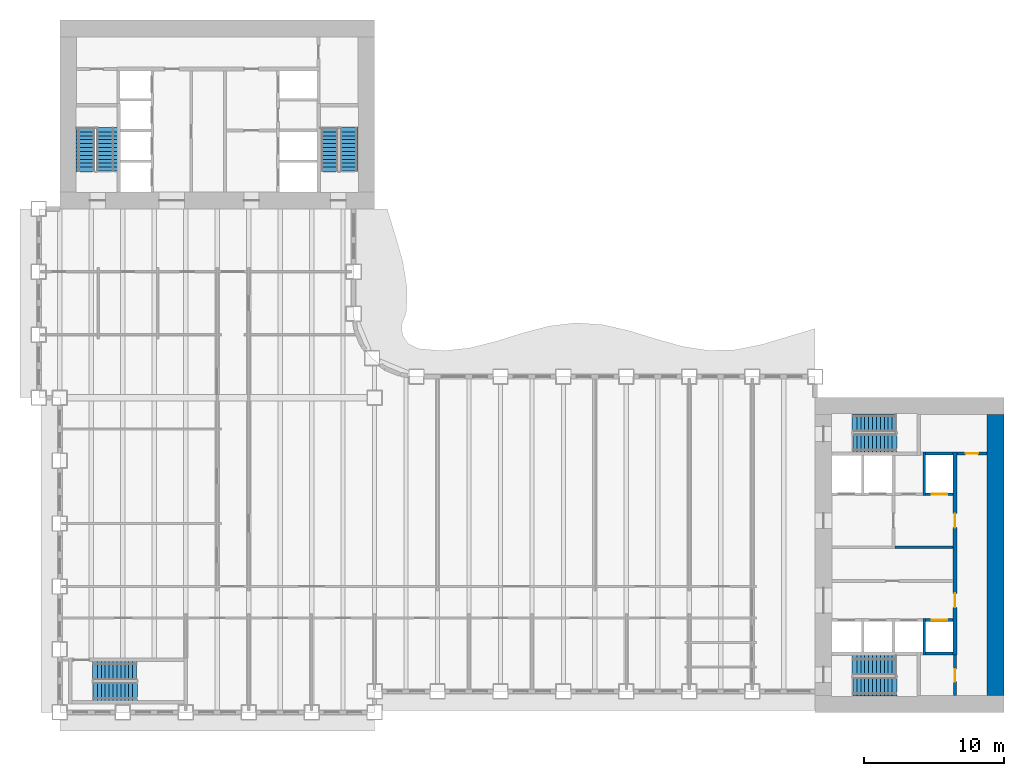
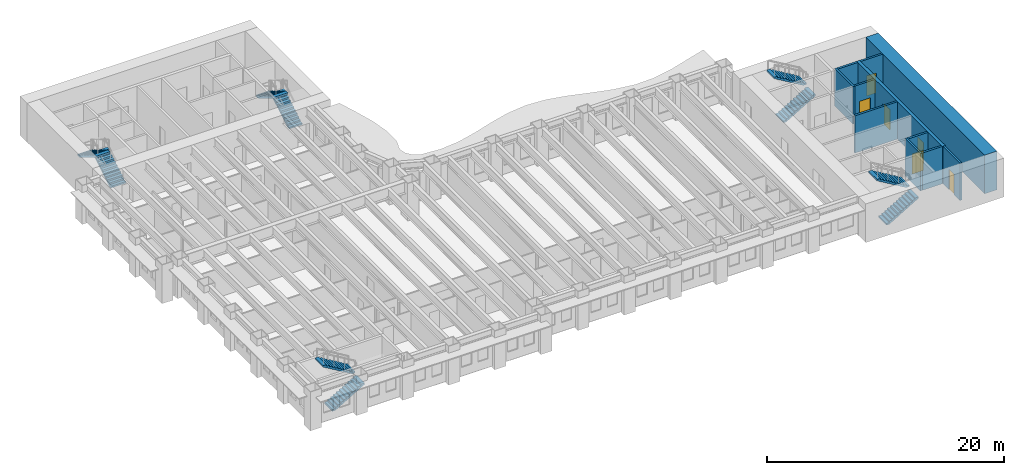
# One storey, part 10 of 16: 11 walls, 10 stair flights, 6 doors, 6 openings, 5 elements without a shape of their own.
"""IFC4 building model written with IfcOpenShell, lengths in metres."""

from ifc_helpers import new_model, si_unit, direction, frame, frame_2d, origin, place, context, subcontext, project, spatial, polyline, rectangle, outline, extrude, material, layer, layer_set, type_object, element, fill, aggregate, save


model = new_model("IFC4")

# Units and contexts
model_context = context("Model", 3, precision=1e-05, world=origin(), true_north=direction((0.0, 1.0)))
body_context = subcontext(model_context, "Body", "Model", "MODEL_VIEW")
ifc_project = project(units=[si_unit("LENGTHUNIT", "METRE"), si_unit("AREAUNIT", "SQUARE_METRE"), si_unit("VOLUMEUNIT", "CUBIC_METRE"), si_unit("PLANEANGLEUNIT", "RADIAN"), si_unit("MASSUNIT", "GRAM", prefix="KILO")], contexts=[model_context])

# Site, building, storey
site_placement = place(None, origin())
site = spatial("IfcSite", under=ifc_project, at=site_placement, CompositionType="ELEMENT")
building_placement = place(site_placement, origin())
building = spatial("IfcBuilding", under=site, at=building_placement, Name="Sennacour Bend Tower", CompositionType="ELEMENT")
storey_placement = place(building_placement, frame((0.0, 0.0, 57.0)))
storey = spatial("IfcBuildingStorey", under=building, at=storey_placement, Name="L12", CompositionType="ELEMENT", Elevation=57.0)

# Wall
ifc_material_1 = material(Name="Concrete C80/95", Category="concrete")
ifc_layer_1 = layer(ifc_material_1, 1.199951171875, Name="Concrete C80/95", Category="concrete")
ifc_layer_set_1 = layer_set([ifc_layer_1], Name="Concrete C80/95")
wall_type_1 = type_object("IfcWallType", Name="Core wall 1200 C80/95", PredefinedType="SHEAR", material=ifc_layer_set_1)
wall_1_placement = place(storey_placement, frame((66.89990234375, 1.199951171875, -0.14990234375), z_axis=(0.0, 0.0, 1.0), x_axis=(0.0, 1.0, 0.0)))
element("IfcWall", 1, at=wall_1_placement, inside=storey, type_object=wall_type_1, Name="Core A wall L12 E", PredefinedType="SHEAR", context=body_context, shape_type="SweptSolid", body=[
    extrude(rectangle(XDim=20.10009765625, YDim=1.199951171875, at=frame_2d((10.050048828125, 0.0))), origin(), (0.0, 0.0, 1.0), 4.0),
])

# Wall, opening, door
ifc_material_2 = material(Name="Fire-rated plasterboard partition on steel studs", Category="steel")
ifc_layer_2 = layer(ifc_material_2, 0.199951171875, Name="Fire-rated plasterboard partition on steel studs", Category="steel")
ifc_layer_set_2 = layer_set([ifc_layer_2], Name="Fire-rated plasterboard partition on steel studs")
wall_type_2 = type_object("IfcWallType", Name="Rated partition 200", PredefinedType="PARTITIONING", material=ifc_layer_set_2)
wall_2_placement = place(storey_placement, frame((64.0, 1.199951171875, 0.0), z_axis=(0.0, 0.0, 1.0), x_axis=(0.0, 1.0, 0.0)))
wall_2 = element("IfcWall", 2, at=wall_2_placement, inside=storey, type_object=wall_type_2, Name="P-L12-W045", PredefinedType="PARTITIONING", context=body_context, shape_type="SweptSolid", body=[
    extrude(rectangle(XDim=2.900146484375, YDim=0.199951171875, at=frame_2d((1.4501953125, 0.0))), origin(), (0.0, 0.0, 1.0), 3.85009765625),
])
opening_1_placement = place(wall_2_placement, frame((1.0, 0.0, 0.0)))
opening_1 = element("IfcOpeningElement", 3, at=opening_1_placement, cuts=wall_2, Name="Opening SV", PredefinedType="OPENING", context=body_context, shape_type="SweptSolid", body=[
    extrude(rectangle(XDim=0.89990234375, YDim=2.10009765625, at=frame_2d((0.449951171875, 1.050048828125))), frame((0.0, 0.10986328125, 0.0), z_axis=(0.0, -1.0, 0.0), x_axis=(1.0, 0.0, 0.0)), (0.0, 0.0, 1.0), 0.219970703125),
])
ifc_material_3 = material(Name="Painted steel", Category="steel")
door_type_1 = type_object("IfcDoorType", Name="DR-SERVICE-900", OperationType="NOTDEFINED", PredefinedType="DOOR", material=ifc_material_3)
door_1_placement = place(opening_1_placement, origin())
door_1 = element("IfcDoor", 4, at=door_1_placement, inside=storey, type_object=door_type_1, Name="Door", OperationType="SINGLE_SWING_LEFT", OverallHeight=2.10009765625, OverallWidth=0.89990234375, PredefinedType="DOOR", context=body_context, shape_type="SweptSolid", body=[
    extrude(rectangle(XDim=0.89990234375, YDim=2.10009765625, at=frame_2d((0.449951171875, 1.050048828125))), frame((0.0, 0.02490234375, 0.0), z_axis=(0.0, -1.0, 0.0), x_axis=(1.0, 0.0, 0.0)), (0.0, 0.0, 1.0), 0.050048828125),
])
fill(opening_1, door_1)

# Wall
wall_3_placement = place(storey_placement, frame((59.699951171875, 11.800048828125, 0.0), z_axis=(0.0, 0.0, 1.0), x_axis=(1.0, 0.0, 0.0)))
element("IfcWall", 5, at=wall_3_placement, inside=storey, type_object=wall_type_2, Name="P-L12-W060b", PredefinedType="PARTITIONING", context=body_context, shape_type="SweptSolid", body=[
    extrude(rectangle(XDim=4.150146484375, YDim=0.199951171875, at=frame_2d((2.0751953125, 0.0))), origin(), (0.0, 0.0, 1.0), 3.85009765625),
])

# Wall, opening, door
wall_4_placement = place(storey_placement, frame((64.14990234375, 18.5, 0.0), z_axis=(0.0, 0.0, 1.0), x_axis=(1.0, 0.0, 0.0)))
wall_4 = element("IfcWall", 6, at=wall_4_placement, inside=storey, type_object=wall_type_2, Name="P-L12-W068", PredefinedType="PARTITIONING", context=body_context, shape_type="SweptSolid", body=[
    extrude(rectangle(XDim=2.150146484375, YDim=0.199951171875, at=frame_2d((1.0751953125, 0.0))), origin(), (0.0, 0.0, 1.0), 3.85009765625),
])
opening_2_placement = place(wall_4_placement, frame((0.60009765625, 0.0, 0.0)))
opening_2 = element("IfcOpeningElement", 7, at=opening_2_placement, cuts=wall_4, Name="Opening SV", PredefinedType="OPENING", context=body_context, shape_type="SweptSolid", body=[
    extrude(rectangle(XDim=0.89990234375, YDim=2.10009765625, at=frame_2d((0.449951171875, 1.050048828125))), frame((0.0, 0.10986328125, 0.0), z_axis=(0.0, -1.0, 0.0), x_axis=(1.0, 0.0, 0.0)), (0.0, 0.0, 1.0), 0.219970703125),
])
door_2_placement = place(opening_2_placement, origin())
door_2 = element("IfcDoor", 8, at=door_2_placement, inside=storey, type_object=door_type_1, Name="Door", OperationType="SINGLE_SWING_LEFT", OverallHeight=2.10009765625, OverallWidth=0.89990234375, PredefinedType="DOOR", context=body_context, shape_type="SweptSolid", body=[
    extrude(rectangle(XDim=0.89990234375, YDim=2.10009765625, at=frame_2d((0.449951171875, 1.050048828125))), frame((0.0, 0.02490234375, 0.0), z_axis=(0.0, -1.0, 0.0), x_axis=(1.0, 0.0, 0.0)), (0.0, 0.0, 1.0), 0.050048828125),
])
fill(opening_2, door_2)

# Walls
ifc_material_4 = material(Name="Concrete C50/60", Category="concrete")
ifc_layer_3 = layer(ifc_material_4, 0.199951171875, Name="Concrete C50/60", Category="concrete")
ifc_layer_set_3 = layer_set([ifc_layer_3], Name="Concrete C50/60")
wall_type_3 = type_object("IfcWallType", Name="Shaft wall 200", PredefinedType="SOLIDWALL", material=ifc_layer_set_3)
wall_5_placement = place(storey_placement, frame((61.800048828125, 4.10009765625, 0.0), z_axis=(0.0, 0.0, 1.0), x_axis=(0.0, 1.0, 0.0)))
element("IfcWall", 9, at=wall_5_placement, inside=storey, type_object=wall_type_3, Name="P-L12-W043", PredefinedType="SOLIDWALL", context=body_context, shape_type="SweptSolid", body=[
    extrude(rectangle(XDim=2.599853515625, YDim=0.199951171875, at=frame_2d((1.2998046875, 0.0))), origin(), (0.0, 0.0, 1.0), 3.85009765625),
])
wall_6_placement = place(storey_placement, frame((61.800048828125, 15.5, 0.0), z_axis=(0.0, 0.0, 1.0), x_axis=(0.0, 1.0, 0.0)))
element("IfcWall", 10, at=wall_6_placement, inside=storey, type_object=wall_type_3, Name="P-L12-W044", PredefinedType="SOLIDWALL", context=body_context, shape_type="SweptSolid", body=[
    extrude(rectangle(XDim=3.10009765625, YDim=0.199951171875, at=frame_2d((1.550048828125, 0.0))), origin(), (0.0, 0.0, 1.0), 3.85009765625),
])
wall_7_placement = place(storey_placement, frame((61.89990234375, 4.199951171875, 0.0), z_axis=(0.0, 0.0, 1.0), x_axis=(1.0, 0.0, 0.0)))
element("IfcWall", 11, at=wall_7_placement, inside=storey, type_object=wall_type_3, Name="P-L12-W054b", PredefinedType="SOLIDWALL", context=body_context, shape_type="SweptSolid", body=[
    extrude(rectangle(XDim=1.9501953125, YDim=0.199951171875, at=frame_2d((0.97509765625, 0.0))), origin(), (0.0, 0.0, 1.0), 3.85009765625),
])

# Wall, opening, door
wall_8_placement = place(storey_placement, frame((61.89990234375, 6.60009765625, 0.0), z_axis=(0.0, 0.0, 1.0), x_axis=(1.0, 0.0, 0.0)))
wall_8 = element("IfcWall", 12, at=wall_8_placement, inside=storey, type_object=wall_type_3, Name="P-L12-W056d", PredefinedType="SOLIDWALL", context=body_context, shape_type="SweptSolid", body=[
    extrude(rectangle(XDim=1.9501953125, YDim=0.199951171875, at=frame_2d((0.97509765625, 0.0))), origin(), (0.0, 0.0, 1.0), 3.85009765625),
])
opening_3_placement = place(wall_8_placement, frame((0.425048828125, 0.0, 0.011962890625)))
opening_3 = element("IfcOpeningElement", 13, at=opening_3_placement, cuts=wall_8, Name="Opening LD", PredefinedType="OPENING", context=body_context, shape_type="SweptSolid", body=[
    extrude(rectangle(XDim=1.10009765625, YDim=2.10009765625, at=frame_2d((0.550048828125, 1.050048828125))), frame((0.0, 0.10986328125, 0.0), z_axis=(0.0, -1.0, 0.0), x_axis=(1.0, 0.0, 0.0)), (0.0, 0.0, 1.0), 0.219970703125),
])
ifc_material_5 = material(Name="Stainless steel", Category="steel")
door_type_2 = type_object("IfcDoorType", Name="DR-LANDING-1100", OperationType="NOTDEFINED", PredefinedType="DOOR", material=ifc_material_5)
door_3_placement = place(opening_3_placement, origin())
door_3 = element("IfcDoor", 14, at=door_3_placement, inside=storey, type_object=door_type_2, Name="Lift landing door LA4", OperationType="SLIDING_TO_RIGHT", OverallHeight=2.10009765625, OverallWidth=1.10009765625, PredefinedType="DOOR", context=body_context, shape_type="SweptSolid", body=[
    extrude(rectangle(XDim=1.10009765625, YDim=2.10009765625, at=frame_2d((0.550048828125, 1.050048828125))), frame((0.0, 0.02490234375, 0.0), z_axis=(0.0, -1.0, 0.0), x_axis=(1.0, 0.0, 0.0)), (0.0, 0.0, 1.0), 0.050048828125),
])
fill(opening_3, door_3)

wall_9_placement = place(storey_placement, frame((61.89990234375, 15.60009765625, 0.0), z_axis=(0.0, 0.0, 1.0), x_axis=(1.0, 0.0, 0.0)))
wall_9 = element("IfcWall", 15, at=wall_9_placement, inside=storey, type_object=wall_type_3, Name="P-L12-W064", PredefinedType="SOLIDWALL", context=body_context, shape_type="SweptSolid", body=[
    extrude(rectangle(XDim=1.9501953125, YDim=0.199951171875, at=frame_2d((0.97509765625, 0.0))), origin(), (0.0, 0.0, 1.0), 3.85009765625),
])
opening_4_placement = place(wall_9_placement, frame((0.425048828125, 0.0, 0.011962890625)))
opening_4 = element("IfcOpeningElement", 16, at=opening_4_placement, cuts=wall_9, Name="Opening LD", PredefinedType="OPENING", context=body_context, shape_type="SweptSolid", body=[
    extrude(rectangle(XDim=1.10009765625, YDim=2.10009765625, at=frame_2d((0.550048828125, 1.050048828125))), frame((0.0, 0.10986328125, 0.0), z_axis=(0.0, -1.0, 0.0), x_axis=(1.0, 0.0, 0.0)), (0.0, 0.0, 1.0), 0.219970703125),
])
door_4_placement = place(opening_4_placement, origin())
door_4 = element("IfcDoor", 17, at=door_4_placement, inside=storey, type_object=door_type_2, Name="Lift landing door LA5", OperationType="SLIDING_TO_LEFT", OverallHeight=2.10009765625, OverallWidth=1.10009765625, PredefinedType="DOOR", context=body_context, shape_type="SweptSolid", body=[
    extrude(rectangle(XDim=1.10009765625, YDim=2.10009765625, at=frame_2d((0.550048828125, 1.050048828125))), frame((0.0, 0.02490234375, 0.0), z_axis=(0.0, -1.0, 0.0), x_axis=(1.0, 0.0, 0.0)), (0.0, 0.0, 1.0), 0.050048828125),
])
fill(opening_4, door_4)

# Wall
wall_10_placement = place(storey_placement, frame((61.89990234375, 18.5, 0.0), z_axis=(0.0, 0.0, 1.0), x_axis=(1.0, 0.0, 0.0)))
element("IfcWall", 18, at=wall_10_placement, inside=storey, type_object=wall_type_3, Name="P-L12-W067", PredefinedType="SOLIDWALL", context=body_context, shape_type="SweptSolid", body=[
    extrude(rectangle(XDim=1.9501953125, YDim=0.199951171875, at=frame_2d((0.97509765625, 0.0))), origin(), (0.0, 0.0, 1.0), 3.85009765625),
])

# Wall, openings, doors
ifc_material_6 = material(Name="Concrete C60/75", Category="concrete")
ifc_layer_4 = layer(ifc_material_6, 0.300048828125, Name="Concrete C60/75", Category="concrete")
ifc_layer_set_4 = layer_set([ifc_layer_4], Name="Concrete C60/75")
wall_type_4 = type_object("IfcWallType", Name="Spine wall 300", PredefinedType="SHEAR", material=ifc_layer_set_4)
wall_11_placement = place(storey_placement, frame((64.0, 4.10009765625, 0.0), z_axis=(0.0, 0.0, 1.0), x_axis=(0.0, 1.0, 0.0)))
wall_11 = element("IfcWall", 19, at=wall_11_placement, inside=storey, type_object=wall_type_4, Name="P-L12-W046", PredefinedType="SHEAR", context=body_context, shape_type="SweptSolid", body=[
    extrude(rectangle(XDim=14.5, YDim=0.300048828125, at=frame_2d((7.25, 0.0))), origin(), (0.0, 0.0, 1.0), 3.85009765625),
])
opening_5_placement = place(wall_11_placement, frame((3.39990234375, 0.0, 0.0)))
opening_5 = element("IfcOpeningElement", 20, at=opening_5_placement, cuts=wall_11, Name="Opening CD2", PredefinedType="OPENING", context=body_context, shape_type="SweptSolid", body=[
    extrude(rectangle(XDim=1.0, YDim=2.10009765625, at=frame_2d((0.5, 1.050048828125))), frame((0.0, 0.16015625, 0.0), z_axis=(0.0, -1.0, 0.0), x_axis=(1.0, 0.0, 0.0)), (0.0, 0.0, 1.0), 0.320068359375),
])
opening_6_placement = place(wall_11_placement, frame((9.099853515625, 0.0, 0.0)))
opening_6 = element("IfcOpeningElement", 21, at=opening_6_placement, cuts=wall_11, Name="Opening CD2", PredefinedType="OPENING", context=body_context, shape_type="SweptSolid", body=[
    extrude(rectangle(XDim=1.0, YDim=2.10009765625, at=frame_2d((0.5, 1.050048828125))), frame((0.0, 0.16015625, 0.0), z_axis=(0.0, -1.0, 0.0), x_axis=(1.0, 0.0, 0.0)), (0.0, 0.0, 1.0), 0.320068359375),
])
door_type_3 = type_object("IfcDoorType", Name="DR-LOBBY-1000", OperationType="NOTDEFINED", PredefinedType="DOOR", material=ifc_material_3)
door_5_placement = place(opening_5_placement, origin())
door_5 = element("IfcDoor", 22, at=door_5_placement, inside=storey, type_object=door_type_3, Name="Door", OperationType="SINGLE_SWING_LEFT", OverallHeight=2.10009765625, OverallWidth=1.0, PredefinedType="DOOR", context=body_context, shape_type="SweptSolid", body=[
    extrude(rectangle(XDim=1.0, YDim=2.10009765625, at=frame_2d((0.5, 1.050048828125))), frame((0.0, 0.02490234375, 0.0), z_axis=(0.0, -1.0, 0.0), x_axis=(1.0, 0.0, 0.0)), (0.0, 0.0, 1.0), 0.050048828125),
])
fill(opening_5, door_5)
door_6_placement = place(opening_6_placement, origin())
door_6 = element("IfcDoor", 23, at=door_6_placement, inside=storey, type_object=door_type_3, Name="Door", OperationType="SINGLE_SWING_RIGHT", OverallHeight=2.10009765625, OverallWidth=1.0, PredefinedType="DOOR", context=body_context, shape_type="SweptSolid", body=[
    extrude(rectangle(XDim=1.0, YDim=2.10009765625, at=frame_2d((0.5, 1.050048828125))), frame((0.0, 0.02490234375, 0.0), z_axis=(0.0, -1.0, 0.0), x_axis=(1.0, 0.0, 0.0)), (0.0, 0.0, 1.0), 0.050048828125),
])
fill(opening_6, door_6)

# Stair, stair flights
ifc_material_7 = material(Name="Concrete C40/50", Category="concrete")
stair_type = type_object("IfcStairType", Name="ST-DOGLEG", PredefinedType="HALF_TURN_STAIR", material=ifc_material_7)
stair_1_placement = place(storey_placement, origin())
stair_1 = element("IfcStair", 24, at=stair_1_placement, inside=storey, type_object=stair_type, Name="L12 Exit stair A1", PredefinedType="HALF_TURN_STAIR")
stair_flight_type = type_object("IfcStairFlightType", Name="SFL-RC", PredefinedType="STRAIGHT", material=ifc_material_7)
stair_flight_1_placement = place(storey_placement, frame((56.699951171875, 1.8349609375, 0.0), z_axis=(0.0, 0.0, 1.0), x_axis=(1.0, 0.0, 0.0)))
stair_flight_1 = element("IfcStairFlight", 25, at=stair_flight_1_placement, type_object=stair_flight_type, Name="SA1 flight 1", NumberOfRisers=12, NumberOfTreads=11, PredefinedType="STRAIGHT", RiserHeight=0.166666667, TreadLength=0.28, context=body_context, shape_type="SweptSolid", body=[
    extrude(outline(polyline([(0.0, 0.0), (0.0, 0.166748046875), (0.280029296875, 0.166748046875), (0.280029296875, 0.333251953125), (0.56005859375, 0.333251953125), (0.56005859375, 0.5), (0.840087890625, 0.5), (0.840087890625, 0.666748046875), (1.1201171875, 0.666748046875), (1.1201171875, 0.833251953125), (1.39990234375, 0.833251953125), (1.39990234375, 1.0), (1.679931640625, 1.0), (1.679931640625, 1.166748046875), (1.9599609375, 1.166748046875), (1.9599609375, 1.333251953125), (2.239990234375, 1.333251953125), (2.239990234375, 1.5), (2.52001953125, 1.5), (2.52001953125, 1.666748046875), (2.800048828125, 1.666748046875), (2.800048828125, 1.833251953125), (3.080078125, 1.833251953125), (3.139892578125, 1.833251953125), (3.139892578125, 1.658935546875), (3.080078125, 1.658935546875), (0.29296875, 0.0), (0.0, 0.0)])), frame((0.0, 0.6650390625, 0.0), z_axis=(0.0, -1.0, 0.0), x_axis=(1.0, 0.0, 0.0)), (0.0, 0.0, 1.0), 1.330078125),
])
stair_flight_2_placement = place(storey_placement, frame((59.780029296875, 3.37744140625, 2.0), z_axis=(0.0, 0.0, 1.0), x_axis=(-1.0, 0.0, 0.0)))
stair_flight_2 = element("IfcStairFlight", 26, at=stair_flight_2_placement, type_object=stair_flight_type, Name="SA1 flight 2", NumberOfRisers=12, NumberOfTreads=11, PredefinedType="STRAIGHT", RiserHeight=0.166666667, TreadLength=0.28, context=body_context, shape_type="SweptSolid", body=[
    extrude(outline(polyline([(0.0, 0.0), (0.0, 0.166748046875), (0.280029296875, 0.166748046875), (0.280029296875, 0.333251953125), (0.56005859375, 0.333251953125), (0.56005859375, 0.5), (0.840087890625, 0.5), (0.840087890625, 0.666748046875), (1.1201171875, 0.666748046875), (1.1201171875, 0.833251953125), (1.39990234375, 0.833251953125), (1.39990234375, 1.0), (1.679931640625, 1.0), (1.679931640625, 1.166748046875), (1.9599609375, 1.166748046875), (1.9599609375, 1.333251953125), (2.239990234375, 1.333251953125), (2.239990234375, 1.5), (2.52001953125, 1.5), (2.52001953125, 1.666748046875), (2.800048828125, 1.666748046875), (2.800048828125, 1.833251953125), (3.080078125, 1.833251953125), (3.139892578125, 1.833251953125), (3.139892578125, 1.658935546875), (3.080078125, 1.658935546875), (0.29296875, 0.0), (0.0, 0.0)])), frame((0.0, 0.7275390625, 0.0), z_axis=(0.0, -1.0, 0.0), x_axis=(1.0, 0.0, 0.0)), (0.0, 0.0, 1.0), 1.455078125),
])
aggregate(stair_1, [stair_flight_1, stair_flight_2])

stair_2_placement = place(storey_placement, origin())
stair_2 = element("IfcStair", 27, at=stair_2_placement, inside=storey, type_object=stair_type, Name="L12 Exit stair A2", PredefinedType="HALF_TURN_STAIR")
stair_flight_3_placement = place(storey_placement, frame((56.699951171875, 19.24755859375, 0.0), z_axis=(0.0, 0.0, 1.0), x_axis=(1.0, 0.0, 0.0)))
stair_flight_3 = element("IfcStairFlight", 28, at=stair_flight_3_placement, type_object=stair_flight_type, Name="SA2 flight 1", NumberOfRisers=12, NumberOfTreads=11, PredefinedType="STRAIGHT", RiserHeight=0.166666667, TreadLength=0.28, context=body_context, shape_type="SweptSolid", body=[
    extrude(outline(polyline([(0.0, 0.0), (0.0, 0.166748046875), (0.280029296875, 0.166748046875), (0.280029296875, 0.333251953125), (0.56005859375, 0.333251953125), (0.56005859375, 0.5), (0.840087890625, 0.5), (0.840087890625, 0.666748046875), (1.1201171875, 0.666748046875), (1.1201171875, 0.833251953125), (1.39990234375, 0.833251953125), (1.39990234375, 1.0), (1.679931640625, 1.0), (1.679931640625, 1.166748046875), (1.9599609375, 1.166748046875), (1.9599609375, 1.333251953125), (2.239990234375, 1.333251953125), (2.239990234375, 1.5), (2.52001953125, 1.5), (2.52001953125, 1.666748046875), (2.800048828125, 1.666748046875), (2.800048828125, 1.833251953125), (3.080078125, 1.833251953125), (3.139892578125, 1.833251953125), (3.139892578125, 1.658935546875), (3.080078125, 1.658935546875), (0.29296875, 0.0), (0.0, 0.0)])), frame((0.0, 0.65234375, 0.0), z_axis=(0.0, -1.0, 0.0), x_axis=(1.0, 0.0, 0.0)), (0.0, 0.0, 1.0), 1.304931640625),
])
stair_flight_4_placement = place(storey_placement, frame((59.780029296875, 20.68994140625, 2.0), z_axis=(0.0, 0.0, 1.0), x_axis=(-1.0, 0.0, 0.0)))
stair_flight_4 = element("IfcStairFlight", 29, at=stair_flight_4_placement, type_object=stair_flight_type, Name="SA2 flight 2", NumberOfRisers=12, NumberOfTreads=11, PredefinedType="STRAIGHT", RiserHeight=0.166666667, TreadLength=0.28, context=body_context, shape_type="SweptSolid", body=[
    extrude(outline(polyline([(0.0, 0.0), (0.0, 0.166748046875), (0.280029296875, 0.166748046875), (0.280029296875, 0.333251953125), (0.56005859375, 0.333251953125), (0.56005859375, 0.5), (0.840087890625, 0.5), (0.840087890625, 0.666748046875), (1.1201171875, 0.666748046875), (1.1201171875, 0.833251953125), (1.39990234375, 0.833251953125), (1.39990234375, 1.0), (1.679931640625, 1.0), (1.679931640625, 1.166748046875), (1.9599609375, 1.166748046875), (1.9599609375, 1.333251953125), (2.239990234375, 1.333251953125), (2.239990234375, 1.5), (2.52001953125, 1.5), (2.52001953125, 1.666748046875), (2.800048828125, 1.666748046875), (2.800048828125, 1.833251953125), (3.080078125, 1.833251953125), (3.139892578125, 1.833251953125), (3.139892578125, 1.658935546875), (3.080078125, 1.658935546875), (0.29296875, 0.0), (0.0, 0.0)])), frame((0.0, 0.64013671875, 0.0), z_axis=(0.0, -1.0, 0.0), x_axis=(1.0, 0.0, 0.0)), (0.0, 0.0, 1.0), 1.280029296875),
])
aggregate(stair_2, [stair_flight_3, stair_flight_4])

stair_3_placement = place(storey_placement, origin())
stair_3 = element("IfcStair", 30, at=stair_3_placement, inside=storey, type_object=stair_type, Name="L12 Exit stair B1", PredefinedType="HALF_TURN_STAIR")
stair_flight_5_placement = place(storey_placement, frame((3.37744140625, 38.699951171875, 0.0), z_axis=(0.0, 0.0, 1.0), x_axis=(0.0, 1.0, 0.0)))
stair_flight_5 = element("IfcStairFlight", 31, at=stair_flight_5_placement, type_object=stair_flight_type, Name="SB1 flight 1", NumberOfRisers=12, NumberOfTreads=11, PredefinedType="STRAIGHT", RiserHeight=0.166666667, TreadLength=0.28, context=body_context, shape_type="SweptSolid", body=[
    extrude(outline(polyline([(0.0, 0.0), (0.0, 0.166748046875), (0.280029296875, 0.166748046875), (0.280029296875, 0.333251953125), (0.56005859375, 0.333251953125), (0.56005859375, 0.5), (0.840087890625, 0.5), (0.840087890625, 0.666748046875), (1.1201171875, 0.666748046875), (1.1201171875, 0.833251953125), (1.39990234375, 0.833251953125), (1.39990234375, 1.0), (1.679931640625, 1.0), (1.679931640625, 1.166748046875), (1.9599609375, 1.166748046875), (1.9599609375, 1.333251953125), (2.239990234375, 1.333251953125), (2.239990234375, 1.5), (2.52001953125, 1.5), (2.52001953125, 1.666748046875), (2.800048828125, 1.666748046875), (2.800048828125, 1.833251953125), (3.080078125, 1.833251953125), (3.139892578125, 1.833251953125), (3.139892578125, 1.658935546875), (3.080078125, 1.658935546875), (0.29296875, 0.0), (0.0, 0.0)])), frame((0.0, 0.7275390625, 0.0), z_axis=(0.0, -1.0, 0.0), x_axis=(1.0, 0.0, 0.0)), (0.0, 0.0, 1.0), 1.455078125),
])
stair_flight_6_placement = place(storey_placement, frame((1.8349609375, 41.780029296875, 2.0), z_axis=(0.0, 0.0, 1.0), x_axis=(0.0, -1.0, 0.0)))
stair_flight_6 = element("IfcStairFlight", 32, at=stair_flight_6_placement, type_object=stair_flight_type, Name="SB1 flight 2", NumberOfRisers=12, NumberOfTreads=11, PredefinedType="STRAIGHT", RiserHeight=0.166666667, TreadLength=0.28, context=body_context, shape_type="SweptSolid", body=[
    extrude(outline(polyline([(0.0, 0.0), (0.0, 0.166748046875), (0.280029296875, 0.166748046875), (0.280029296875, 0.333251953125), (0.56005859375, 0.333251953125), (0.56005859375, 0.5), (0.840087890625, 0.5), (0.840087890625, 0.666748046875), (1.1201171875, 0.666748046875), (1.1201171875, 0.833251953125), (1.39990234375, 0.833251953125), (1.39990234375, 1.0), (1.679931640625, 1.0), (1.679931640625, 1.166748046875), (1.9599609375, 1.166748046875), (1.9599609375, 1.333251953125), (2.239990234375, 1.333251953125), (2.239990234375, 1.5), (2.52001953125, 1.5), (2.52001953125, 1.666748046875), (2.800048828125, 1.666748046875), (2.800048828125, 1.833251953125), (3.080078125, 1.833251953125), (3.139892578125, 1.833251953125), (3.139892578125, 1.658935546875), (3.080078125, 1.658935546875), (0.29296875, 0.0), (0.0, 0.0)])), frame((0.0, 0.6650390625, 0.0), z_axis=(0.0, -1.0, 0.0), x_axis=(1.0, 0.0, 0.0)), (0.0, 0.0, 1.0), 1.330078125),
])
aggregate(stair_3, [stair_flight_5, stair_flight_6])

stair_4_placement = place(storey_placement, origin())
stair_4 = element("IfcStair", 33, at=stair_4_placement, inside=storey, type_object=stair_type, Name="L12 Exit stair B2", PredefinedType="HALF_TURN_STAIR")
stair_flight_7_placement = place(storey_placement, frame((20.68994140625, 38.699951171875, 0.0), z_axis=(0.0, 0.0, 1.0), x_axis=(0.0, 1.0, 0.0)))
stair_flight_7 = element("IfcStairFlight", 34, at=stair_flight_7_placement, type_object=stair_flight_type, Name="SB2 flight 1", NumberOfRisers=12, NumberOfTreads=11, PredefinedType="STRAIGHT", RiserHeight=0.166666667, TreadLength=0.28, context=body_context, shape_type="SweptSolid", body=[
    extrude(outline(polyline([(0.0, 0.0), (0.0, 0.166748046875), (0.280029296875, 0.166748046875), (0.280029296875, 0.333251953125), (0.56005859375, 0.333251953125), (0.56005859375, 0.5), (0.840087890625, 0.5), (0.840087890625, 0.666748046875), (1.1201171875, 0.666748046875), (1.1201171875, 0.833251953125), (1.39990234375, 0.833251953125), (1.39990234375, 1.0), (1.679931640625, 1.0), (1.679931640625, 1.166748046875), (1.9599609375, 1.166748046875), (1.9599609375, 1.333251953125), (2.239990234375, 1.333251953125), (2.239990234375, 1.5), (2.52001953125, 1.5), (2.52001953125, 1.666748046875), (2.800048828125, 1.666748046875), (2.800048828125, 1.833251953125), (3.080078125, 1.833251953125), (3.139892578125, 1.833251953125), (3.139892578125, 1.658935546875), (3.080078125, 1.658935546875), (0.29296875, 0.0), (0.0, 0.0)])), frame((0.0, 0.64013671875, 0.0), z_axis=(0.0, -1.0, 0.0), x_axis=(1.0, 0.0, 0.0)), (0.0, 0.0, 1.0), 1.280029296875),
])
stair_flight_8_placement = place(storey_placement, frame((19.24755859375, 41.780029296875, 2.0), z_axis=(0.0, 0.0, 1.0), x_axis=(0.0, -1.0, 0.0)))
stair_flight_8 = element("IfcStairFlight", 35, at=stair_flight_8_placement, type_object=stair_flight_type, Name="SB2 flight 2", NumberOfRisers=12, NumberOfTreads=11, PredefinedType="STRAIGHT", RiserHeight=0.166666667, TreadLength=0.28, context=body_context, shape_type="SweptSolid", body=[
    extrude(outline(polyline([(0.0, 0.0), (0.0, 0.166748046875), (0.280029296875, 0.166748046875), (0.280029296875, 0.333251953125), (0.56005859375, 0.333251953125), (0.56005859375, 0.5), (0.840087890625, 0.5), (0.840087890625, 0.666748046875), (1.1201171875, 0.666748046875), (1.1201171875, 0.833251953125), (1.39990234375, 0.833251953125), (1.39990234375, 1.0), (1.679931640625, 1.0), (1.679931640625, 1.166748046875), (1.9599609375, 1.166748046875), (1.9599609375, 1.333251953125), (2.239990234375, 1.333251953125), (2.239990234375, 1.5), (2.52001953125, 1.5), (2.52001953125, 1.666748046875), (2.800048828125, 1.666748046875), (2.800048828125, 1.833251953125), (3.080078125, 1.833251953125), (3.139892578125, 1.833251953125), (3.139892578125, 1.658935546875), (3.080078125, 1.658935546875), (0.29296875, 0.0), (0.0, 0.0)])), frame((0.0, 0.65234375, 0.0), z_axis=(0.0, -1.0, 0.0), x_axis=(1.0, 0.0, 0.0)), (0.0, 0.0, 1.0), 1.304931640625),
])
aggregate(stair_4, [stair_flight_7, stair_flight_8])

stair_5_placement = place(storey_placement, origin())
stair_5 = element("IfcStair", 36, at=stair_5_placement, inside=storey, type_object=stair_type, Name="L12 Exit stair K1", PredefinedType="HALF_TURN_STAIR")
stair_flight_9_placement = place(storey_placement, frame((2.39990234375, 1.485107421875, 0.0), z_axis=(0.0, 0.0, 1.0), x_axis=(1.0, 0.0, 0.0)))
stair_flight_9 = element("IfcStairFlight", 37, at=stair_flight_9_placement, type_object=stair_flight_type, Name="SK1 flight 1", NumberOfRisers=12, NumberOfTreads=11, PredefinedType="STRAIGHT", RiserHeight=0.166666667, TreadLength=0.28, context=body_context, shape_type="SweptSolid", body=[
    extrude(outline(polyline([(0.0, 0.0), (0.0, 0.166748046875), (0.280029296875, 0.166748046875), (0.280029296875, 0.333251953125), (0.56005859375, 0.333251953125), (0.56005859375, 0.5), (0.840087890625, 0.5), (0.840087890625, 0.666748046875), (1.1201171875, 0.666748046875), (1.1201171875, 0.833251953125), (1.39990234375, 0.833251953125), (1.39990234375, 1.0), (1.679931640625, 1.0), (1.679931640625, 1.166748046875), (1.9599609375, 1.166748046875), (1.9599609375, 1.333251953125), (2.239990234375, 1.333251953125), (2.239990234375, 1.5), (2.52001953125, 1.5), (2.52001953125, 1.666748046875), (2.800048828125, 1.666748046875), (2.800048828125, 1.833251953125), (3.080078125, 1.833251953125), (3.139892578125, 1.833251953125), (3.139892578125, 1.658935546875), (3.080078125, 1.658935546875), (0.29296875, 0.0), (0.0, 0.0)])), frame((0.0, 0.6650390625, 0.0), z_axis=(0.0, -1.0, 0.0), x_axis=(1.0, 0.0, 0.0)), (0.0, 0.0, 1.0), 1.330078125),
])
stair_flight_10_placement = place(storey_placement, frame((5.47998046875, 2.9775390625, 2.0), z_axis=(0.0, 0.0, 1.0), x_axis=(-1.0, 0.0, 0.0)))
stair_flight_10 = element("IfcStairFlight", 38, at=stair_flight_10_placement, type_object=stair_flight_type, Name="SK1 flight 2", NumberOfRisers=12, NumberOfTreads=11, PredefinedType="STRAIGHT", RiserHeight=0.166666667, TreadLength=0.28, context=body_context, shape_type="SweptSolid", body=[
    extrude(outline(polyline([(0.0, 0.0), (0.0, 0.166748046875), (0.280029296875, 0.166748046875), (0.280029296875, 0.333251953125), (0.56005859375, 0.333251953125), (0.56005859375, 0.5), (0.840087890625, 0.5), (0.840087890625, 0.666748046875), (1.1201171875, 0.666748046875), (1.1201171875, 0.833251953125), (1.39990234375, 0.833251953125), (1.39990234375, 1.0), (1.679931640625, 1.0), (1.679931640625, 1.166748046875), (1.9599609375, 1.166748046875), (1.9599609375, 1.333251953125), (2.239990234375, 1.333251953125), (2.239990234375, 1.5), (2.52001953125, 1.5), (2.52001953125, 1.666748046875), (2.800048828125, 1.666748046875), (2.800048828125, 1.833251953125), (3.080078125, 1.833251953125), (3.139892578125, 1.833251953125), (3.139892578125, 1.658935546875), (3.080078125, 1.658935546875), (0.29296875, 0.0), (0.0, 0.0)])), frame((0.0, 0.677490234375, 0.0), z_axis=(0.0, -1.0, 0.0), x_axis=(1.0, 0.0, 0.0)), (0.0, 0.0, 1.0), 1.35498046875),
])
aggregate(stair_5, [stair_flight_9, stair_flight_10])

save(model, "model.ifc")
